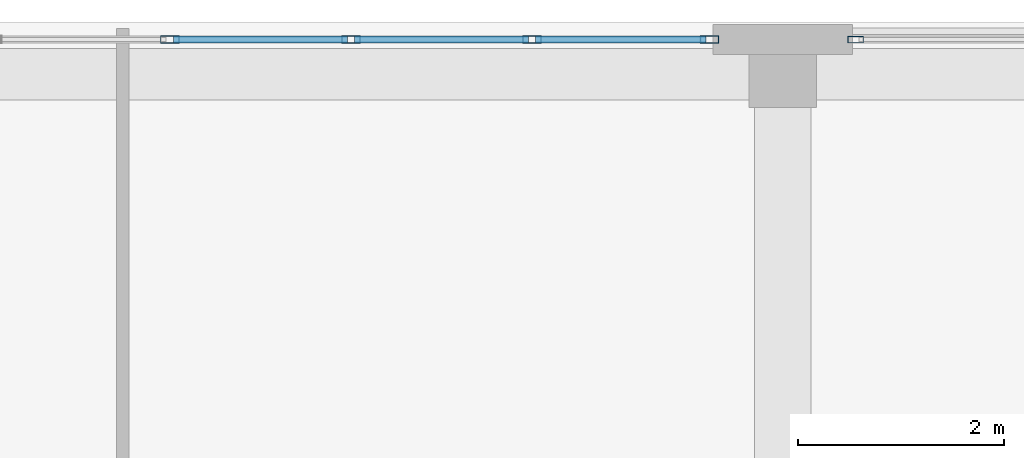
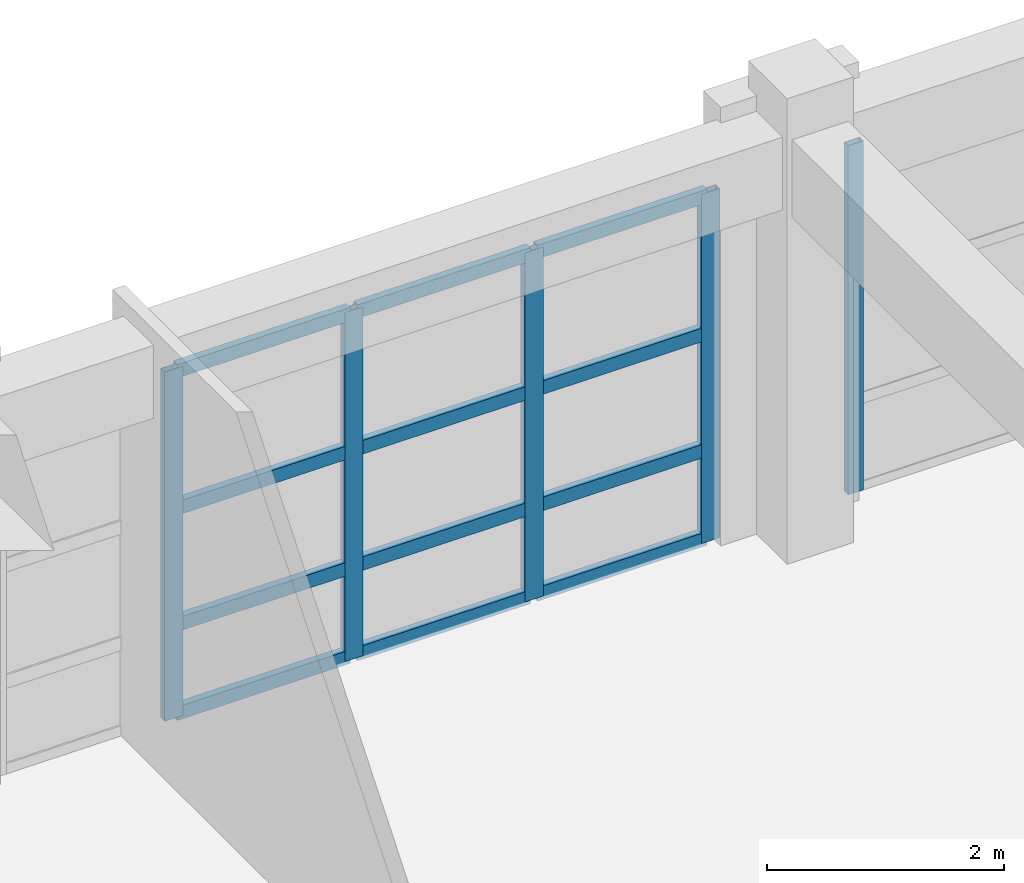
# One storey, part 85 of 123: 17 members, 2 elements without a shape of their own.
"""IFC4 building model written with IfcOpenShell, lengths in metres."""

from ifc_helpers import new_model, si_unit, direction, frame, origin, origin_2d, place, context, subcontext, project, spatial, hollow_rectangle, extrude, material, layer, layer_set, material_profile, profile_set, type_object, element, aggregate, save


model = new_model("IFC4")

# Units and contexts
model_context = context("Model", 3, precision=1e-05, world=origin(), true_north=direction((0.0, 1.0)))
body_context = subcontext(model_context, "Body", "Model", "MODEL_VIEW")
ifc_project = project(units=[si_unit("LENGTHUNIT", "METRE"), si_unit("AREAUNIT", "SQUARE_METRE"), si_unit("VOLUMEUNIT", "CUBIC_METRE"), si_unit("PLANEANGLEUNIT", "RADIAN"), si_unit("MASSUNIT", "GRAM", prefix="KILO")], contexts=[model_context])

# Site, building, storey
site_placement = place(None, origin())
site = spatial("IfcSite", under=ifc_project, at=site_placement, CompositionType="ELEMENT")
building_placement = place(site_placement, origin())
building = spatial("IfcBuilding", under=site, at=building_placement, Name="Quendrovan Civic Courthouse", CompositionType="ELEMENT")
storey_placement = place(building_placement, frame((0.0, 0.0, 5.39990234375)))
storey = spatial("IfcBuildingStorey", under=building, at=storey_placement, Name="L02", CompositionType="ELEMENT", Elevation=5.39990234375)

# Curtain wall, members
ifc_material_1 = material(Name="Bronze anodised aluminium and low-E glass", Category="aluminium")
ifc_layer_1 = layer(ifc_material_1, 0.179931640625, Name="Bronze anodised aluminium and low-E glass")
ifc_layer_set_1 = layer_set([ifc_layer_1], Name="Bronze anodised aluminium and low-E glass")
curtain_wall_type_1 = type_object("IfcCurtainWallType", Name="CW-U70x36", PredefinedType="USERDEFINED", material=ifc_layer_set_1)
curtain_wall_1_placement = place(storey_placement, origin())
curtain_wall_1 = element("IfcCurtainWall", 1, at=curtain_wall_1_placement, inside=storey, type_object=curtain_wall_type_1, Name="L02 Unitised Hurricane Curtain Wall CW-094", ObjectType="UNITISED CURTAIN WALL", PredefinedType="USERDEFINED")
ifc_material_2 = material(Name="Bronze anodised aluminium", Category="aluminium")
ifc_material_profile_1 = material_profile(ifc_material_2, hollow_rectangle(XDim=0.070068359375, YDim=0.179931640625, WallThickness=0.00390625, at=origin_2d()), Name="CW-MULL-70x180")
ifc_profile_set_1 = profile_set([ifc_material_profile_1], Name="Bronze anodised aluminium")
member_type_1 = type_object("IfcMemberType", Name="CW-MULL-A", PredefinedType="MULLION", material=ifc_profile_set_1)
member_1_placement = place(storey_placement, frame((145.25634765625, 110.235107421875, 0.0), z_axis=(0.0, 0.0, 1.0), x_axis=(0.0, 1.0, 0.0)))
member_1 = element("IfcMember", 2, at=member_1_placement, type_object=member_type_1, Name="CW-094 mullion 2", PredefinedType="MULLION", context=body_context, shape_type="SweptSolid", body=[
    extrude(hollow_rectangle(XDim=0.070068359375, YDim=0.179931640625, WallThickness=0.00390625, at=origin_2d()), origin(), (0.0, 0.0, 1.0), 3.60009765625),
])
member_2_placement = place(storey_placement, frame((147.012451171875, 110.235107421875, 0.0), z_axis=(0.0, 0.0, 1.0), x_axis=(0.0, 1.0, 0.0)))
member_2 = element("IfcMember", 3, at=member_2_placement, type_object=member_type_1, Name="CW-094 mullion 3", PredefinedType="MULLION", context=body_context, shape_type="SweptSolid", body=[
    extrude(hollow_rectangle(XDim=0.070068359375, YDim=0.179931640625, WallThickness=0.00390625, at=origin_2d()), origin(), (0.0, 0.0, 1.0), 3.60009765625),
])
member_3_placement = place(storey_placement, frame((148.768798828125, 110.235107421875, 0.0), z_axis=(0.0, 0.0, 1.0), x_axis=(0.0, 1.0, 0.0)))
member_3 = element("IfcMember", 4, at=member_3_placement, type_object=member_type_1, Name="CW-094 mullion 4", PredefinedType="MULLION", context=body_context, shape_type="SweptSolid", body=[
    extrude(hollow_rectangle(XDim=0.070068359375, YDim=0.179931640625, WallThickness=0.00390625, at=origin_2d()), origin(), (0.0, 0.0, 1.0), 3.60009765625),
])
member_4_placement = place(storey_placement, frame((150.489990234375, 110.235107421875, 0.0), z_axis=(0.0, 0.0, 1.0), x_axis=(0.0, 1.0, 0.0)))
member_4 = element("IfcMember", 5, at=member_4_placement, type_object=member_type_1, Name="CW-094 mullion 5", PredefinedType="MULLION", context=body_context, shape_type="SweptSolid", body=[
    extrude(hollow_rectangle(XDim=0.070068359375, YDim=0.179931640625, WallThickness=0.00390625, at=origin_2d()), origin(), (0.0, 0.0, 1.0), 3.60009765625),
])

# Curtain wall, member
ifc_layer_2 = layer(ifc_material_1, 0.179931640625, Name="Bronze anodised aluminium and low-E glass")
ifc_layer_set_2 = layer_set([ifc_layer_2], Name="Bronze anodised aluminium and low-E glass")
curtain_wall_type_2 = type_object("IfcCurtainWallType", Name="CW-U76x36", PredefinedType="USERDEFINED", material=ifc_layer_set_2)
curtain_wall_2_placement = place(storey_placement, origin())
curtain_wall_2 = element("IfcCurtainWall", 6, at=curtain_wall_2_placement, inside=storey, type_object=curtain_wall_type_2, Name="L02 Unitised Hurricane Curtain Wall CW-095", ObjectType="UNITISED CURTAIN WALL", PredefinedType="USERDEFINED")
ifc_material_profile_2 = material_profile(ifc_material_2, hollow_rectangle(XDim=0.06494140625, YDim=0.14990234375, WallThickness=0.00390625, at=origin_2d()), Name="CW-MULL-65x150")
ifc_profile_set_2 = profile_set([ifc_material_profile_2], Name="Bronze anodised aluminium")
member_type_2 = type_object("IfcMemberType", Name="CW-MULL-B", PredefinedType="MULLION", material=ifc_profile_set_2)
member_5_placement = place(storey_placement, frame((151.907470703125, 110.235107421875, 0.0), z_axis=(0.0, 0.0, 1.0), x_axis=(0.0, 1.0, 0.0)))
member_5 = element("IfcMember", 7, at=member_5_placement, type_object=member_type_2, Name="CW-095 mullion 1", PredefinedType="MULLION", context=body_context, shape_type="SweptSolid", body=[
    extrude(hollow_rectangle(XDim=0.06494140625, YDim=0.14990234375, WallThickness=0.00390625, at=origin_2d()), origin(), (0.0, 0.0, 1.0), 3.60009765625),
])
aggregate(curtain_wall_2, [member_5])

# Member
ifc_material_profile_3 = material_profile(ifc_material_2, hollow_rectangle(XDim=0.070068359375, YDim=0.139892578125, WallThickness=0.00390625, at=origin_2d()), Name="CW-TRAN-70x140")
ifc_profile_set_3 = profile_set([ifc_material_profile_3], Name="Bronze anodised aluminium")
member_type_3 = type_object("IfcMemberType", Name="CW-TRAN-A", PredefinedType="USERDEFINED", material=ifc_profile_set_3)
member_6_placement = place(storey_placement, frame((145.291259765625, 110.235107421875, 0.03515625), z_axis=(1.0, 0.0, 0.0), x_axis=(0.0, 1.0, 0.0)))
member_6 = element("IfcMember", 8, at=member_6_placement, type_object=member_type_3, Name="CW-094 transom 2.1", ObjectType="TRANSOM", PredefinedType="USERDEFINED", context=body_context, shape_type="SweptSolid", body=[
    extrude(hollow_rectangle(XDim=0.070068359375, YDim=0.139892578125, WallThickness=0.00390625, at=origin_2d()), origin(), (0.0, 0.0, 1.0), 1.686279296875),
])

member_7_placement = place(storey_placement, frame((145.291259765625, 110.235107421875, 0.9501953125), z_axis=(1.0, 0.0, 0.0), x_axis=(0.0, 1.0, 0.0)))
member_7 = element("IfcMember", 9, at=member_7_placement, type_object=member_type_3, Name="CW-094 transom 2.2", ObjectType="TRANSOM", PredefinedType="USERDEFINED", context=body_context, shape_type="SweptSolid", body=[
    extrude(hollow_rectangle(XDim=0.070068359375, YDim=0.139892578125, WallThickness=0.00390625, at=origin_2d()), origin(), (0.0, 0.0, 1.0), 1.686279296875),
])

member_8_placement = place(storey_placement, frame((145.291259765625, 110.235107421875, 2.150146484375), z_axis=(1.0, 0.0, 0.0), x_axis=(0.0, 1.0, 0.0)))
member_8 = element("IfcMember", 10, at=member_8_placement, type_object=member_type_3, Name="CW-094 transom 2.3", ObjectType="TRANSOM", PredefinedType="USERDEFINED", context=body_context, shape_type="SweptSolid", body=[
    extrude(hollow_rectangle(XDim=0.070068359375, YDim=0.139892578125, WallThickness=0.00390625, at=origin_2d()), origin(), (0.0, 0.0, 1.0), 1.686279296875),
])

member_9_placement = place(storey_placement, frame((145.291259765625, 110.235107421875, 3.565185546875), z_axis=(1.0, 0.0, 0.0), x_axis=(0.0, 1.0, 0.0)))
member_9 = element("IfcMember", 11, at=member_9_placement, type_object=member_type_3, Name="CW-094 transom 2.4", ObjectType="TRANSOM", PredefinedType="USERDEFINED", context=body_context, shape_type="SweptSolid", body=[
    extrude(hollow_rectangle(XDim=0.070068359375, YDim=0.139892578125, WallThickness=0.00390625, at=origin_2d()), origin(), (0.0, 0.0, 1.0), 1.686279296875),
])

member_10_placement = place(storey_placement, frame((147.047607421875, 110.235107421875, 0.03515625), z_axis=(1.0, 0.0, 0.0), x_axis=(0.0, 1.0, 0.0)))
member_10 = element("IfcMember", 12, at=member_10_placement, type_object=member_type_3, Name="CW-094 transom 3.1", ObjectType="TRANSOM", PredefinedType="USERDEFINED", context=body_context, shape_type="SweptSolid", body=[
    extrude(hollow_rectangle(XDim=0.070068359375, YDim=0.139892578125, WallThickness=0.00390625, at=origin_2d()), origin(), (0.0, 0.0, 1.0), 1.68603515625),
])

member_11_placement = place(storey_placement, frame((147.047607421875, 110.235107421875, 0.9501953125), z_axis=(1.0, 0.0, 0.0), x_axis=(0.0, 1.0, 0.0)))
member_11 = element("IfcMember", 13, at=member_11_placement, type_object=member_type_3, Name="CW-094 transom 3.2", ObjectType="TRANSOM", PredefinedType="USERDEFINED", context=body_context, shape_type="SweptSolid", body=[
    extrude(hollow_rectangle(XDim=0.070068359375, YDim=0.139892578125, WallThickness=0.00390625, at=origin_2d()), origin(), (0.0, 0.0, 1.0), 1.68603515625),
])

member_12_placement = place(storey_placement, frame((147.047607421875, 110.235107421875, 2.150146484375), z_axis=(1.0, 0.0, 0.0), x_axis=(0.0, 1.0, 0.0)))
member_12 = element("IfcMember", 14, at=member_12_placement, type_object=member_type_3, Name="CW-094 transom 3.3", ObjectType="TRANSOM", PredefinedType="USERDEFINED", context=body_context, shape_type="SweptSolid", body=[
    extrude(hollow_rectangle(XDim=0.070068359375, YDim=0.139892578125, WallThickness=0.00390625, at=origin_2d()), origin(), (0.0, 0.0, 1.0), 1.68603515625),
])

member_13_placement = place(storey_placement, frame((147.047607421875, 110.235107421875, 3.565185546875), z_axis=(1.0, 0.0, 0.0), x_axis=(0.0, 1.0, 0.0)))
member_13 = element("IfcMember", 15, at=member_13_placement, type_object=member_type_3, Name="CW-094 transom 3.4", ObjectType="TRANSOM", PredefinedType="USERDEFINED", context=body_context, shape_type="SweptSolid", body=[
    extrude(hollow_rectangle(XDim=0.070068359375, YDim=0.139892578125, WallThickness=0.00390625, at=origin_2d()), origin(), (0.0, 0.0, 1.0), 1.68603515625),
])

member_14_placement = place(storey_placement, frame((148.8037109375, 110.235107421875, 0.03515625), z_axis=(1.0, 0.0, 0.0), x_axis=(0.0, 1.0, 0.0)))
member_14 = element("IfcMember", 16, at=member_14_placement, type_object=member_type_3, Name="CW-094 transom 4.1", ObjectType="TRANSOM", PredefinedType="USERDEFINED", context=body_context, shape_type="SweptSolid", body=[
    extrude(hollow_rectangle(XDim=0.070068359375, YDim=0.139892578125, WallThickness=0.00390625, at=origin_2d()), origin(), (0.0, 0.0, 1.0), 1.6513671875),
])

member_15_placement = place(storey_placement, frame((148.8037109375, 110.235107421875, 0.9501953125), z_axis=(1.0, 0.0, 0.0), x_axis=(0.0, 1.0, 0.0)))
member_15 = element("IfcMember", 17, at=member_15_placement, type_object=member_type_3, Name="CW-094 transom 4.2", ObjectType="TRANSOM", PredefinedType="USERDEFINED", context=body_context, shape_type="SweptSolid", body=[
    extrude(hollow_rectangle(XDim=0.070068359375, YDim=0.139892578125, WallThickness=0.00390625, at=origin_2d()), origin(), (0.0, 0.0, 1.0), 1.6513671875),
])

member_16_placement = place(storey_placement, frame((148.8037109375, 110.235107421875, 2.150146484375), z_axis=(1.0, 0.0, 0.0), x_axis=(0.0, 1.0, 0.0)))
member_16 = element("IfcMember", 18, at=member_16_placement, type_object=member_type_3, Name="CW-094 transom 4.3", ObjectType="TRANSOM", PredefinedType="USERDEFINED", context=body_context, shape_type="SweptSolid", body=[
    extrude(hollow_rectangle(XDim=0.070068359375, YDim=0.139892578125, WallThickness=0.00390625, at=origin_2d()), origin(), (0.0, 0.0, 1.0), 1.6513671875),
])

member_17_placement = place(storey_placement, frame((148.8037109375, 110.235107421875, 3.565185546875), z_axis=(1.0, 0.0, 0.0), x_axis=(0.0, 1.0, 0.0)))
member_17 = element("IfcMember", 19, at=member_17_placement, type_object=member_type_3, Name="CW-094 transom 4.4", ObjectType="TRANSOM", PredefinedType="USERDEFINED", context=body_context, shape_type="SweptSolid", body=[
    extrude(hollow_rectangle(XDim=0.070068359375, YDim=0.139892578125, WallThickness=0.00390625, at=origin_2d()), origin(), (0.0, 0.0, 1.0), 1.6513671875),
])

aggregate(curtain_wall_1, [member_1, member_2, member_3, member_4, member_6, member_7, member_8, member_9, member_10, member_11, member_12, member_13, member_14, member_15, member_16, member_17])

save(model, "model.ifc")
